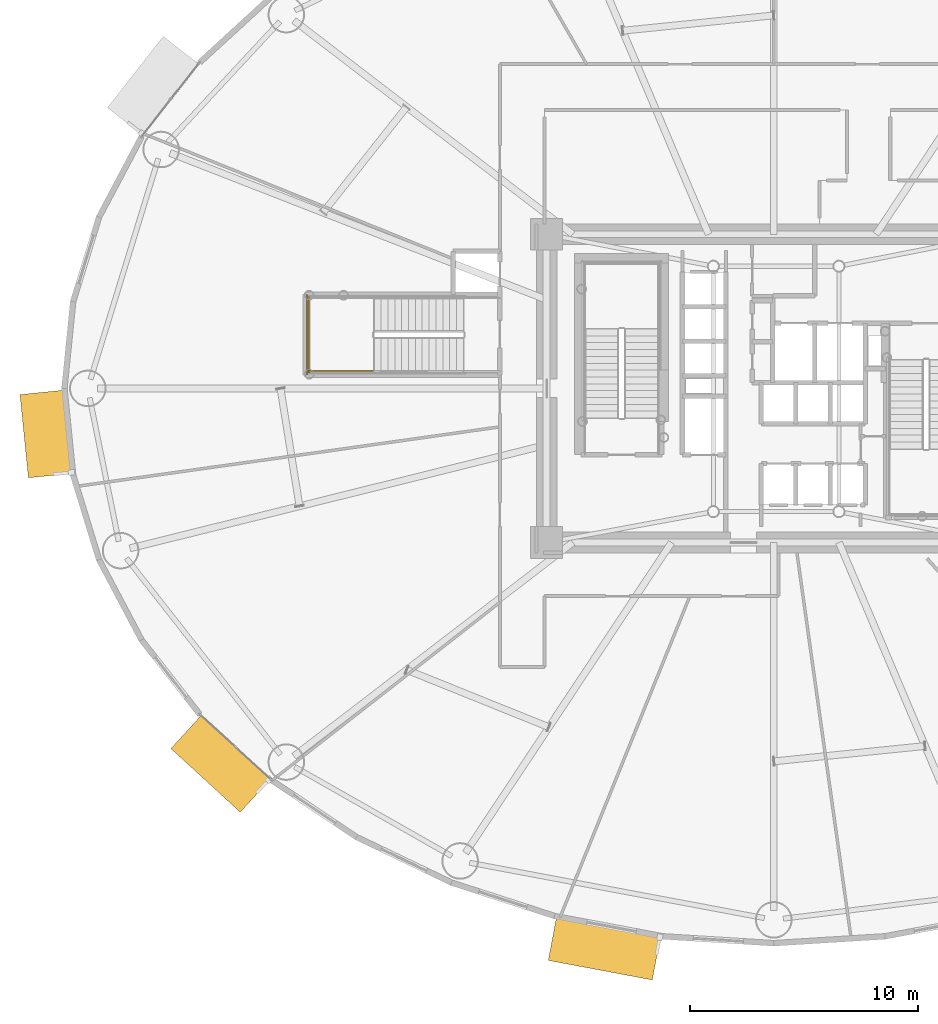
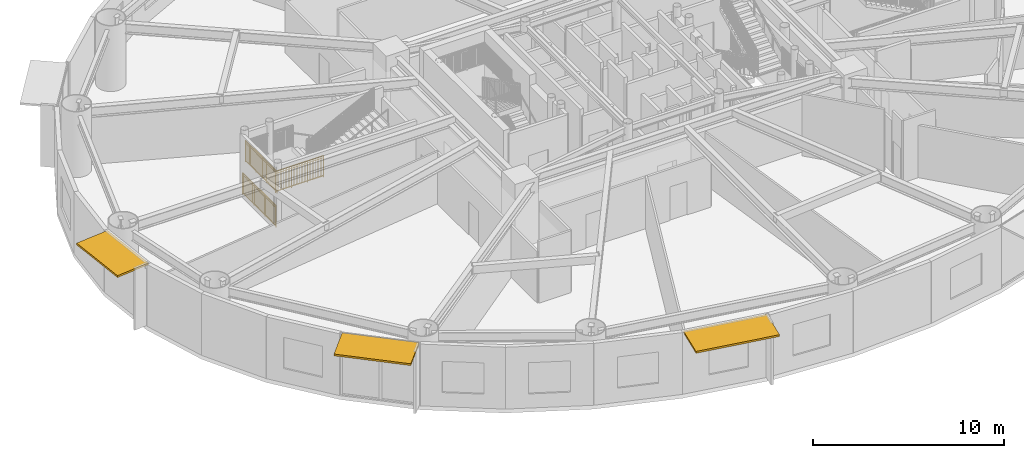
# One storey, part 24 of 35: 3 railings, 3 shading devices.
"""IFC4 building model written with IfcOpenShell, lengths in metres."""

from ifc_helpers import new_model, si_unit, direction, frame, origin, origin_2d, place, context, subcontext, project, spatial, rectangle, extrude, source, transform, mapped, material, layer, layer_set, type_object, element, save


model = new_model("IFC4")

# Units and contexts
model_context = context("Model", 3, precision=1e-05, world=origin(), true_north=direction((0.0, 1.0)))
body_context = subcontext(model_context, "Body", "Model", "MODEL_VIEW")
ifc_project = project(units=[si_unit("LENGTHUNIT", "METRE"), si_unit("AREAUNIT", "SQUARE_METRE"), si_unit("VOLUMEUNIT", "CUBIC_METRE"), si_unit("PLANEANGLEUNIT", "RADIAN"), si_unit("MASSUNIT", "GRAM", prefix="KILO")], contexts=[model_context])

# Site, building, storey
site_placement = place(None, origin())
site = spatial("IfcSite", under=ifc_project, at=site_placement, CompositionType="ELEMENT")
building_placement = place(site_placement, origin())
building = spatial("IfcBuilding", under=site, at=building_placement, Name="Linh Dai School and Residence Tower", CompositionType="ELEMENT")
storey_placement = place(building_placement, frame((0.0, 0.0, 49.199951171875)))
storey = spatial("IfcBuildingStorey", under=building, at=storey_placement, Name="L11", CompositionType="ELEMENT", Elevation=49.199951171875)

# Shading devices
ifc_material_1 = material(Name="Terracotta Ceramic Sunshade", Category="masonry")
ifc_layer = layer(ifc_material_1, 0.1201171875)
ifc_layer_set = layer_set([ifc_layer], Name="Terracotta Ceramic Sunshade")
shading_device_type = type_object("IfcShadingDeviceType", Name="SHD-TC-2000", PredefinedType="USERDEFINED", material=ifc_layer_set)
shared_shape_1 = source(origin(), body_context, "Body", "SweptSolid", [
    extrude(rectangle(XDim=3.663330078125, YDim=2.0, at=origin_2d()), origin(), (0.0, 0.0, 1.0), 0.1201171875),
])
shading_device_1_placement = place(storey_placement, frame((4.16064453125, 25.005615234375, 3.81005859375), z_axis=(0.0, 0.0, 1.0), x_axis=(-0.100009387998, 0.994986493533, 0.0)))
element("IfcShadingDevice", 1, at=shading_device_1_placement, inside=storey, type_object=shading_device_type, Name="L11 Terracotta Horizontal Sunshade Band 21", ObjectType="SUNSHADE", PredefinedType="USERDEFINED", context=body_context, shape_type="MappedRepresentation", body=[
    mapped(shared_shape_1, transform((0.0, 0.0, 0.0), x_axis=(1.0, 0.0, 0.0), y_axis=(0.0, 1.0, 0.0), z_axis=(0.0, 0.0, 1.0), scale=1.0)),
])
shared_shape_2 = source(origin(), body_context, "Body", "SweptSolid", [
    extrude(rectangle(XDim=4.1220703125, YDim=2.0, at=origin_2d()), origin(), (0.0, 0.0, 1.0), 0.1201171875),
])
shading_device_2_placement = place(storey_placement, frame((11.7841796875, 10.56689453125, 3.81005859375), z_axis=(0.0, 0.0, 1.0), x_axis=(-0.737113246362, 0.675769237268, 0.0)))
element("IfcShadingDevice", 2, at=shading_device_2_placement, inside=storey, type_object=shading_device_type, Name="L11 Terracotta Horizontal Sunshade Band 25", ObjectType="SUNSHADE", PredefinedType="USERDEFINED", context=body_context, shape_type="MappedRepresentation", body=[
    mapped(shared_shape_2, transform((0.0, 0.0, 0.0), x_axis=(1.0, 0.0, 0.0), y_axis=(0.0, 1.0, 0.0), z_axis=(0.0, 0.0, 1.0), scale=1.0)),
])
shared_shape_3 = source(origin(), body_context, "Body", "SweptSolid", [
    extrude(rectangle(XDim=4.635009765625, YDim=2.0, at=origin_2d()), origin(), (0.0, 0.0, 1.0), 0.1201171875),
])
shading_device_3_placement = place(storey_placement, frame((28.584716796875, 2.497314453125, 3.81005859375), z_axis=(0.0, 0.0, 1.0), x_axis=(-0.982785935675, 0.184747948944, 0.0)))
element("IfcShadingDevice", 3, at=shading_device_3_placement, inside=storey, type_object=shading_device_type, Name="L11 Terracotta Horizontal Sunshade Band 29", ObjectType="SUNSHADE", PredefinedType="USERDEFINED", context=body_context, shape_type="MappedRepresentation", body=[
    mapped(shared_shape_3, transform((0.0, 0.0, 0.0), x_axis=(1.0, 0.0, 0.0), y_axis=(0.0, 1.0, 0.0), z_axis=(0.0, 0.0, 1.0), scale=1.0)),
])

# Railings
ifc_material_2 = material(Name="Structural Steel S355JR", Category="steel")
railing_type = type_object("IfcRailingType", Name="RL-ST-GUARD-1400", PredefinedType="GUARDRAIL", material=ifc_material_2)
shared_shape_4 = source(origin(), body_context, "Body", "SweptSolid", [
    extrude(rectangle(XDim=0.048095703125, YDim=0.048095703125, at=origin_2d()), frame((0.0, 0.0, 1.3759765625), z_axis=(0.0, -1.0, 0.0), x_axis=(1.0, 0.0, 0.0)), (0.0, 0.0, 1.0), 3.300048828125),
    extrude(rectangle(XDim=0.048095703125, YDim=0.048095703125, at=origin_2d()), frame((0.0, 0.0, 0.10009765625), z_axis=(0.0, -1.0, 0.0), x_axis=(1.0, 0.0, 0.0)), (0.0, 0.0, 1.0), 3.300048828125),
    extrude(rectangle(XDim=0.030029296875, YDim=0.030029296875, at=origin_2d()), frame((0.0, 0.0, 1.239990234375), z_axis=(0.0, -1.0, 0.0), x_axis=(1.0, 0.0, 0.0)), (0.0, 0.0, 1.0), 3.300048828125),
    extrude(rectangle(XDim=0.02001953125, YDim=0.02001953125, at=origin_2d()), frame((0.0, -0.09716796875, 0.10009765625)), (0.0, 0.0, 1.0), 1.251708984375),
    extrude(rectangle(XDim=0.02001953125, YDim=0.02001953125, at=origin_2d()), frame((0.0, -0.194091796875, 0.10009765625)), (0.0, 0.0, 1.0), 1.251708984375),
    extrude(rectangle(XDim=0.02001953125, YDim=0.02001953125, at=origin_2d()), frame((0.0, -0.291259765625, 0.10009765625)), (0.0, 0.0, 1.0), 1.251708984375),
    extrude(rectangle(XDim=0.02001953125, YDim=0.02001953125, at=origin_2d()), frame((0.0, -0.38818359375, 0.10009765625)), (0.0, 0.0, 1.0), 1.251708984375),
    extrude(rectangle(XDim=0.02001953125, YDim=0.02001953125, at=origin_2d()), frame((0.0, -0.4853515625, 0.10009765625)), (0.0, 0.0, 1.0), 1.251708984375),
    extrude(rectangle(XDim=0.02001953125, YDim=0.02001953125, at=origin_2d()), frame((0.0, -0.582275390625, 0.10009765625)), (0.0, 0.0, 1.0), 1.251708984375),
    extrude(rectangle(XDim=0.02001953125, YDim=0.02001953125, at=origin_2d()), frame((0.0, -0.679443359375, 0.10009765625)), (0.0, 0.0, 1.0), 1.251708984375),
    extrude(rectangle(XDim=0.02001953125, YDim=0.02001953125, at=origin_2d()), frame((0.0, -0.7763671875, 0.10009765625)), (0.0, 0.0, 1.0), 1.251708984375),
    extrude(rectangle(XDim=0.02001953125, YDim=0.02001953125, at=origin_2d()), frame((0.0, -0.87353515625, 0.10009765625)), (0.0, 0.0, 1.0), 1.251708984375),
    extrude(rectangle(XDim=0.02001953125, YDim=0.02001953125, at=origin_2d()), frame((0.0, -0.970703125, 0.10009765625)), (0.0, 0.0, 1.0), 1.251708984375),
    extrude(rectangle(XDim=0.02001953125, YDim=0.02001953125, at=origin_2d()), frame((0.0, -1.164794921875, 0.10009765625)), (0.0, 0.0, 1.0), 1.251708984375),
    extrude(rectangle(XDim=0.02001953125, YDim=0.02001953125, at=origin_2d()), frame((0.0, -1.26171875, 0.10009765625)), (0.0, 0.0, 1.0), 1.251708984375),
    extrude(rectangle(XDim=0.02001953125, YDim=0.02001953125, at=origin_2d()), frame((0.0, -1.35888671875, 0.10009765625)), (0.0, 0.0, 1.0), 1.251708984375),
    extrude(rectangle(XDim=0.02001953125, YDim=0.02001953125, at=origin_2d()), frame((0.0, -1.455810546875, 0.10009765625)), (0.0, 0.0, 1.0), 1.251708984375),
    extrude(rectangle(XDim=0.02001953125, YDim=0.02001953125, at=origin_2d()), frame((0.0, -1.552978515625, 0.10009765625)), (0.0, 0.0, 1.0), 1.251708984375),
    extrude(rectangle(XDim=0.02001953125, YDim=0.02001953125, at=origin_2d()), frame((0.0, -1.64990234375, 0.10009765625)), (0.0, 0.0, 1.0), 1.251708984375),
    extrude(rectangle(XDim=0.02001953125, YDim=0.02001953125, at=origin_2d()), frame((0.0, -1.7470703125, 0.10009765625)), (0.0, 0.0, 1.0), 1.251708984375),
    extrude(rectangle(XDim=0.02001953125, YDim=0.02001953125, at=origin_2d()), frame((0.0, -1.84423828125, 0.10009765625)), (0.0, 0.0, 1.0), 1.251708984375),
    extrude(rectangle(XDim=0.02001953125, YDim=0.02001953125, at=origin_2d()), frame((0.0, -1.941162109375, 0.10009765625)), (0.0, 0.0, 1.0), 1.251708984375),
    extrude(rectangle(XDim=0.02001953125, YDim=0.02001953125, at=origin_2d()), frame((0.0, -2.038330078125, 0.10009765625)), (0.0, 0.0, 1.0), 1.251708984375),
    extrude(rectangle(XDim=0.02001953125, YDim=0.02001953125, at=origin_2d()), frame((0.0, -2.13525390625, 0.10009765625)), (0.0, 0.0, 1.0), 1.251708984375),
    extrude(rectangle(XDim=0.02001953125, YDim=0.02001953125, at=origin_2d()), frame((0.0, -2.329345703125, 0.10009765625)), (0.0, 0.0, 1.0), 1.251708984375),
    extrude(rectangle(XDim=0.02001953125, YDim=0.02001953125, at=origin_2d()), frame((0.0, -2.426513671875, 0.10009765625)), (0.0, 0.0, 1.0), 1.251708984375),
    extrude(rectangle(XDim=0.02001953125, YDim=0.02001953125, at=origin_2d()), frame((0.0, -2.523681640625, 0.10009765625)), (0.0, 0.0, 1.0), 1.251708984375),
    extrude(rectangle(XDim=0.02001953125, YDim=0.02001953125, at=origin_2d()), frame((0.0, -2.62060546875, 0.10009765625)), (0.0, 0.0, 1.0), 1.251708984375),
    extrude(rectangle(XDim=0.02001953125, YDim=0.02001953125, at=origin_2d()), frame((0.0, -2.7177734375, 0.10009765625)), (0.0, 0.0, 1.0), 1.251708984375),
    extrude(rectangle(XDim=0.02001953125, YDim=0.02001953125, at=origin_2d()), frame((0.0, -2.814697265625, 0.10009765625)), (0.0, 0.0, 1.0), 1.251708984375),
    extrude(rectangle(XDim=0.02001953125, YDim=0.02001953125, at=origin_2d()), frame((0.0, -2.911865234375, 0.10009765625)), (0.0, 0.0, 1.0), 1.251708984375),
    extrude(rectangle(XDim=0.02001953125, YDim=0.02001953125, at=origin_2d()), frame((0.0, -3.0087890625, 0.10009765625)), (0.0, 0.0, 1.0), 1.251708984375),
    extrude(rectangle(XDim=0.02001953125, YDim=0.02001953125, at=origin_2d()), frame((0.0, -3.10595703125, 0.10009765625)), (0.0, 0.0, 1.0), 1.251708984375),
    extrude(rectangle(XDim=0.02001953125, YDim=0.02001953125, at=origin_2d()), frame((0.0, -3.202880859375, 0.10009765625)), (0.0, 0.0, 1.0), 1.251708984375),
    extrude(rectangle(XDim=0.0419921875, YDim=0.0419921875, at=origin_2d()), origin(), (0.0, 0.0, 1.0), 1.3759765625),
    extrude(rectangle(XDim=0.0419921875, YDim=0.0419921875, at=origin_2d()), frame((0.0, -1.10009765625, 0.0)), (0.0, 0.0, 1.0), 1.3759765625),
    extrude(rectangle(XDim=0.0419921875, YDim=0.0419921875, at=origin_2d()), frame((0.0, -2.199951171875, 0.0)), (0.0, 0.0, 1.0), 1.3759765625),
    extrude(rectangle(XDim=0.0419921875, YDim=0.0419921875, at=origin_2d()), frame((0.0, -3.300048828125, 0.0)), (0.0, 0.0, 1.0), 1.3759765625),
])
railing_1_placement = place(storey_placement, frame((15.64990234375, 31.0, 2.10009765625)))
element("IfcRailing", 4, at=railing_1_placement, inside=storey, type_object=railing_type, Name="L11 STS1 stair guard 5", PredefinedType="GUARDRAIL", context=body_context, shape_type="MappedRepresentation", body=[
    mapped(shared_shape_4, transform((0.0, 0.0, 0.0), x_axis=(1.0, 0.0, 0.0), y_axis=(0.0, 1.0, 0.0), z_axis=(0.0, 0.0, 1.0), scale=1.0)),
])
shared_shape_5 = source(origin(), body_context, "Body", "SweptSolid", [
    extrude(rectangle(XDim=0.048095703125, YDim=0.048095703125, at=origin_2d()), frame((0.0, 0.0, 1.3759765625), z_axis=(-1.0, 0.0, 0.0), x_axis=(0.0, -1.0, 0.0)), (0.0, 0.0, 1.0), 2.89990234375),
    extrude(rectangle(XDim=0.048095703125, YDim=0.048095703125, at=origin_2d()), frame((0.0, 0.0, 0.10009765625), z_axis=(-1.0, 0.0, 0.0), x_axis=(0.0, -1.0, 0.0)), (0.0, 0.0, 1.0), 2.89990234375),
    extrude(rectangle(XDim=0.030029296875, YDim=0.030029296875, at=origin_2d()), frame((0.0, 0.0, 1.239990234375), z_axis=(-1.0, 0.0, 0.0), x_axis=(0.0, -1.0, 0.0)), (0.0, 0.0, 1.0), 2.89990234375),
    extrude(rectangle(XDim=0.02001953125, YDim=0.02001953125, at=origin_2d()), frame((-0.0966796875, 0.0, 0.10009765625)), (0.0, 0.0, 1.0), 1.251708984375),
    extrude(rectangle(XDim=0.02001953125, YDim=0.02001953125, at=origin_2d()), frame((-0.193359375, 0.0, 0.10009765625)), (0.0, 0.0, 1.0), 1.251708984375),
    extrude(rectangle(XDim=0.02001953125, YDim=0.02001953125, at=origin_2d()), frame((-0.2900390625, 0.0, 0.10009765625)), (0.0, 0.0, 1.0), 1.251708984375),
    extrude(rectangle(XDim=0.02001953125, YDim=0.02001953125, at=origin_2d()), frame((-0.38671875, 0.0, 0.10009765625)), (0.0, 0.0, 1.0), 1.251708984375),
    extrude(rectangle(XDim=0.02001953125, YDim=0.02001953125, at=origin_2d()), frame((-0.4833984375, 0.0, 0.10009765625)), (0.0, 0.0, 1.0), 1.251708984375),
    extrude(rectangle(XDim=0.02001953125, YDim=0.02001953125, at=origin_2d()), frame((-0.580078125, 0.0, 0.10009765625)), (0.0, 0.0, 1.0), 1.251708984375),
    extrude(rectangle(XDim=0.02001953125, YDim=0.02001953125, at=origin_2d()), frame((-0.6767578125, 0.0, 0.10009765625)), (0.0, 0.0, 1.0), 1.251708984375),
    extrude(rectangle(XDim=0.02001953125, YDim=0.02001953125, at=origin_2d()), frame((-0.773193359375, 0.0, 0.10009765625)), (0.0, 0.0, 1.0), 1.251708984375),
    extrude(rectangle(XDim=0.02001953125, YDim=0.02001953125, at=origin_2d()), frame((-0.869873046875, 0.0, 0.10009765625)), (0.0, 0.0, 1.0), 1.251708984375),
    extrude(rectangle(XDim=0.02001953125, YDim=0.02001953125, at=origin_2d()), frame((-1.063232421875, 0.0, 0.10009765625)), (0.0, 0.0, 1.0), 1.251708984375),
    extrude(rectangle(XDim=0.02001953125, YDim=0.02001953125, at=origin_2d()), frame((-1.159912109375, 0.0, 0.10009765625)), (0.0, 0.0, 1.0), 1.251708984375),
    extrude(rectangle(XDim=0.02001953125, YDim=0.02001953125, at=origin_2d()), frame((-1.256591796875, 0.0, 0.10009765625)), (0.0, 0.0, 1.0), 1.251708984375),
    extrude(rectangle(XDim=0.02001953125, YDim=0.02001953125, at=origin_2d()), frame((-1.353271484375, 0.0, 0.10009765625)), (0.0, 0.0, 1.0), 1.251708984375),
    extrude(rectangle(XDim=0.02001953125, YDim=0.02001953125, at=origin_2d()), frame((-1.449951171875, 0.0, 0.10009765625)), (0.0, 0.0, 1.0), 1.251708984375),
    extrude(rectangle(XDim=0.02001953125, YDim=0.02001953125, at=origin_2d()), frame((-1.546630859375, 0.0, 0.10009765625)), (0.0, 0.0, 1.0), 1.251708984375),
    extrude(rectangle(XDim=0.02001953125, YDim=0.02001953125, at=origin_2d()), frame((-1.643310546875, 0.0, 0.10009765625)), (0.0, 0.0, 1.0), 1.251708984375),
    extrude(rectangle(XDim=0.02001953125, YDim=0.02001953125, at=origin_2d()), frame((-1.739990234375, 0.0, 0.10009765625)), (0.0, 0.0, 1.0), 1.251708984375),
    extrude(rectangle(XDim=0.02001953125, YDim=0.02001953125, at=origin_2d()), frame((-1.836669921875, 0.0, 0.10009765625)), (0.0, 0.0, 1.0), 1.251708984375),
    extrude(rectangle(XDim=0.02001953125, YDim=0.02001953125, at=origin_2d()), frame((-2.030029296875, 0.0, 0.10009765625)), (0.0, 0.0, 1.0), 1.251708984375),
    extrude(rectangle(XDim=0.02001953125, YDim=0.02001953125, at=origin_2d()), frame((-2.126708984375, 0.0, 0.10009765625)), (0.0, 0.0, 1.0), 1.251708984375),
    extrude(rectangle(XDim=0.02001953125, YDim=0.02001953125, at=origin_2d()), frame((-2.22314453125, 0.0, 0.10009765625)), (0.0, 0.0, 1.0), 1.251708984375),
    extrude(rectangle(XDim=0.02001953125, YDim=0.02001953125, at=origin_2d()), frame((-2.31982421875, 0.0, 0.10009765625)), (0.0, 0.0, 1.0), 1.251708984375),
    extrude(rectangle(XDim=0.02001953125, YDim=0.02001953125, at=origin_2d()), frame((-2.41650390625, 0.0, 0.10009765625)), (0.0, 0.0, 1.0), 1.251708984375),
    extrude(rectangle(XDim=0.02001953125, YDim=0.02001953125, at=origin_2d()), frame((-2.51318359375, 0.0, 0.10009765625)), (0.0, 0.0, 1.0), 1.251708984375),
    extrude(rectangle(XDim=0.02001953125, YDim=0.02001953125, at=origin_2d()), frame((-2.60986328125, 0.0, 0.10009765625)), (0.0, 0.0, 1.0), 1.251708984375),
    extrude(rectangle(XDim=0.02001953125, YDim=0.02001953125, at=origin_2d()), frame((-2.70654296875, 0.0, 0.10009765625)), (0.0, 0.0, 1.0), 1.251708984375),
    extrude(rectangle(XDim=0.02001953125, YDim=0.02001953125, at=origin_2d()), frame((-2.80322265625, 0.0, 0.10009765625)), (0.0, 0.0, 1.0), 1.251708984375),
    extrude(rectangle(XDim=0.0419921875, YDim=0.0419921875, at=origin_2d()), origin(), (0.0, 0.0, 1.0), 1.3759765625),
    extrude(rectangle(XDim=0.0419921875, YDim=0.0419921875, at=origin_2d()), frame((-0.966552734375, 0.0, 0.0)), (0.0, 0.0, 1.0), 1.3759765625),
    extrude(rectangle(XDim=0.0419921875, YDim=0.0419921875, at=origin_2d()), frame((-1.933349609375, 0.0, 0.0)), (0.0, 0.0, 1.0), 1.3759765625),
    extrude(rectangle(XDim=0.0419921875, YDim=0.0419921875, at=origin_2d()), frame((-2.89990234375, 0.0, 0.0)), (0.0, 0.0, 1.0), 1.3759765625),
])
railing_2_placement = place(storey_placement, frame((18.5, 27.75, 2.10009765625)))
element("IfcRailing", 5, at=railing_2_placement, inside=storey, type_object=railing_type, Name="L11 STS1 stair guard 4", PredefinedType="GUARDRAIL", context=body_context, shape_type="MappedRepresentation", body=[
    mapped(shared_shape_5, transform((0.0, 0.0, 0.0), x_axis=(1.0, 0.0, 0.0), y_axis=(0.0, 1.0, 0.0), z_axis=(0.0, 0.0, 1.0), scale=1.0)),
])
shared_shape_6 = source(origin(), body_context, "Body", "SweptSolid", [
    extrude(rectangle(XDim=0.048095703125, YDim=0.048095703125, at=origin_2d()), frame((0.0, 0.0, 1.3759765625), z_axis=(0.0, -1.0, 0.0), x_axis=(1.0, 0.0, 0.0)), (0.0, 0.0, 1.0), 3.5),
    extrude(rectangle(XDim=0.048095703125, YDim=0.048095703125, at=origin_2d()), frame((0.0, 0.0, 0.10009765625), z_axis=(0.0, -1.0, 0.0), x_axis=(1.0, 0.0, 0.0)), (0.0, 0.0, 1.0), 3.5),
    extrude(rectangle(XDim=0.030029296875, YDim=0.030029296875, at=origin_2d()), frame((0.0, 0.0, 1.239990234375), z_axis=(0.0, -1.0, 0.0), x_axis=(1.0, 0.0, 0.0)), (0.0, 0.0, 1.0), 3.5),
    extrude(rectangle(XDim=0.02001953125, YDim=0.02001953125, at=origin_2d()), frame((0.0, -0.09716796875, 0.10009765625)), (0.0, 0.0, 1.0), 1.251708984375),
    extrude(rectangle(XDim=0.02001953125, YDim=0.02001953125, at=origin_2d()), frame((0.0, -0.1943359375, 0.10009765625)), (0.0, 0.0, 1.0), 1.251708984375),
    extrude(rectangle(XDim=0.02001953125, YDim=0.02001953125, at=origin_2d()), frame((0.0, -0.291748046875, 0.10009765625)), (0.0, 0.0, 1.0), 1.251708984375),
    extrude(rectangle(XDim=0.02001953125, YDim=0.02001953125, at=origin_2d()), frame((0.0, -0.388916015625, 0.10009765625)), (0.0, 0.0, 1.0), 1.251708984375),
    extrude(rectangle(XDim=0.02001953125, YDim=0.02001953125, at=origin_2d()), frame((0.0, -0.486083984375, 0.10009765625)), (0.0, 0.0, 1.0), 1.251708984375),
    extrude(rectangle(XDim=0.02001953125, YDim=0.02001953125, at=origin_2d()), frame((0.0, -0.583251953125, 0.10009765625)), (0.0, 0.0, 1.0), 1.251708984375),
    extrude(rectangle(XDim=0.02001953125, YDim=0.02001953125, at=origin_2d()), frame((0.0, -0.6806640625, 0.10009765625)), (0.0, 0.0, 1.0), 1.251708984375),
    extrude(rectangle(XDim=0.02001953125, YDim=0.02001953125, at=origin_2d()), frame((0.0, -0.77783203125, 0.10009765625)), (0.0, 0.0, 1.0), 1.251708984375),
    extrude(rectangle(XDim=0.02001953125, YDim=0.02001953125, at=origin_2d()), frame((0.0, -0.875, 0.10009765625)), (0.0, 0.0, 1.0), 1.251708984375),
    extrude(rectangle(XDim=0.02001953125, YDim=0.02001953125, at=origin_2d()), frame((0.0, -0.97216796875, 0.10009765625)), (0.0, 0.0, 1.0), 1.251708984375),
    extrude(rectangle(XDim=0.02001953125, YDim=0.02001953125, at=origin_2d()), frame((0.0, -1.0693359375, 0.10009765625)), (0.0, 0.0, 1.0), 1.251708984375),
    extrude(rectangle(XDim=0.02001953125, YDim=0.02001953125, at=origin_2d()), frame((0.0, -1.263916015625, 0.10009765625)), (0.0, 0.0, 1.0), 1.251708984375),
    extrude(rectangle(XDim=0.02001953125, YDim=0.02001953125, at=origin_2d()), frame((0.0, -1.361083984375, 0.10009765625)), (0.0, 0.0, 1.0), 1.251708984375),
    extrude(rectangle(XDim=0.02001953125, YDim=0.02001953125, at=origin_2d()), frame((0.0, -1.458251953125, 0.10009765625)), (0.0, 0.0, 1.0), 1.251708984375),
    extrude(rectangle(XDim=0.02001953125, YDim=0.02001953125, at=origin_2d()), frame((0.0, -1.5556640625, 0.10009765625)), (0.0, 0.0, 1.0), 1.251708984375),
    extrude(rectangle(XDim=0.02001953125, YDim=0.02001953125, at=origin_2d()), frame((0.0, -1.65283203125, 0.10009765625)), (0.0, 0.0, 1.0), 1.251708984375),
    extrude(rectangle(XDim=0.02001953125, YDim=0.02001953125, at=origin_2d()), frame((0.0, -1.75, 0.10009765625)), (0.0, 0.0, 1.0), 1.251708984375),
    extrude(rectangle(XDim=0.02001953125, YDim=0.02001953125, at=origin_2d()), frame((0.0, -1.84716796875, 0.10009765625)), (0.0, 0.0, 1.0), 1.251708984375),
    extrude(rectangle(XDim=0.02001953125, YDim=0.02001953125, at=origin_2d()), frame((0.0, -1.9443359375, 0.10009765625)), (0.0, 0.0, 1.0), 1.251708984375),
    extrude(rectangle(XDim=0.02001953125, YDim=0.02001953125, at=origin_2d()), frame((0.0, -2.041748046875, 0.10009765625)), (0.0, 0.0, 1.0), 1.251708984375),
    extrude(rectangle(XDim=0.02001953125, YDim=0.02001953125, at=origin_2d()), frame((0.0, -2.138916015625, 0.10009765625)), (0.0, 0.0, 1.0), 1.251708984375),
    extrude(rectangle(XDim=0.02001953125, YDim=0.02001953125, at=origin_2d()), frame((0.0, -2.236083984375, 0.10009765625)), (0.0, 0.0, 1.0), 1.251708984375),
    extrude(rectangle(XDim=0.02001953125, YDim=0.02001953125, at=origin_2d()), frame((0.0, -2.4306640625, 0.10009765625)), (0.0, 0.0, 1.0), 1.251708984375),
    extrude(rectangle(XDim=0.02001953125, YDim=0.02001953125, at=origin_2d()), frame((0.0, -2.52783203125, 0.10009765625)), (0.0, 0.0, 1.0), 1.251708984375),
    extrude(rectangle(XDim=0.02001953125, YDim=0.02001953125, at=origin_2d()), frame((0.0, -2.625, 0.10009765625)), (0.0, 0.0, 1.0), 1.251708984375),
    extrude(rectangle(XDim=0.02001953125, YDim=0.02001953125, at=origin_2d()), frame((0.0, -2.72216796875, 0.10009765625)), (0.0, 0.0, 1.0), 1.251708984375),
    extrude(rectangle(XDim=0.02001953125, YDim=0.02001953125, at=origin_2d()), frame((0.0, -2.8193359375, 0.10009765625)), (0.0, 0.0, 1.0), 1.251708984375),
    extrude(rectangle(XDim=0.02001953125, YDim=0.02001953125, at=origin_2d()), frame((0.0, -2.916748046875, 0.10009765625)), (0.0, 0.0, 1.0), 1.251708984375),
    extrude(rectangle(XDim=0.02001953125, YDim=0.02001953125, at=origin_2d()), frame((0.0, -3.013916015625, 0.10009765625)), (0.0, 0.0, 1.0), 1.251708984375),
    extrude(rectangle(XDim=0.02001953125, YDim=0.02001953125, at=origin_2d()), frame((0.0, -3.111083984375, 0.10009765625)), (0.0, 0.0, 1.0), 1.251708984375),
    extrude(rectangle(XDim=0.02001953125, YDim=0.02001953125, at=origin_2d()), frame((0.0, -3.208251953125, 0.10009765625)), (0.0, 0.0, 1.0), 1.251708984375),
    extrude(rectangle(XDim=0.02001953125, YDim=0.02001953125, at=origin_2d()), frame((0.0, -3.3056640625, 0.10009765625)), (0.0, 0.0, 1.0), 1.251708984375),
    extrude(rectangle(XDim=0.02001953125, YDim=0.02001953125, at=origin_2d()), frame((0.0, -3.40283203125, 0.10009765625)), (0.0, 0.0, 1.0), 1.251708984375),
    extrude(rectangle(XDim=0.0419921875, YDim=0.0419921875, at=origin_2d()), origin(), (0.0, 0.0, 1.0), 1.3759765625),
    extrude(rectangle(XDim=0.0419921875, YDim=0.0419921875, at=origin_2d()), frame((0.0, -1.166748046875, 0.0)), (0.0, 0.0, 1.0), 1.3759765625),
    extrude(rectangle(XDim=0.0419921875, YDim=0.0419921875, at=origin_2d()), frame((0.0, -2.333251953125, 0.0)), (0.0, 0.0, 1.0), 1.3759765625),
    extrude(rectangle(XDim=0.0419921875, YDim=0.0419921875, at=origin_2d()), frame((0.0, -3.5, 0.0)), (0.0, 0.0, 1.0), 1.3759765625),
])
railing_3_placement = place(storey_placement, frame((15.550048828125, 31.10009765625, 0.0)))
element("IfcRailing", 6, at=railing_3_placement, inside=storey, type_object=railing_type, Name="L11 STS1 stair guard 12", PredefinedType="GUARDRAIL", context=body_context, shape_type="MappedRepresentation", body=[
    mapped(shared_shape_6, transform((0.0, 0.0, 0.0), x_axis=(1.0, 0.0, 0.0), y_axis=(0.0, 1.0, 0.0), z_axis=(0.0, 0.0, 1.0), scale=1.0)),
])

save(model, "model.ifc")
